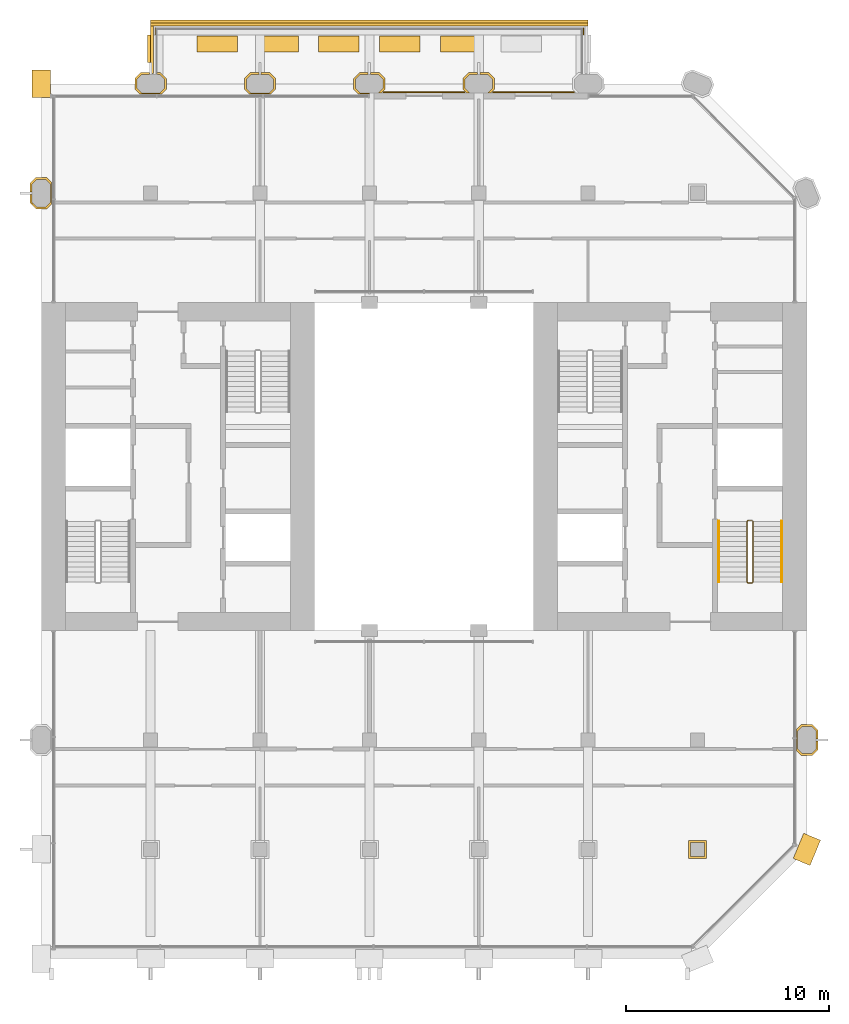
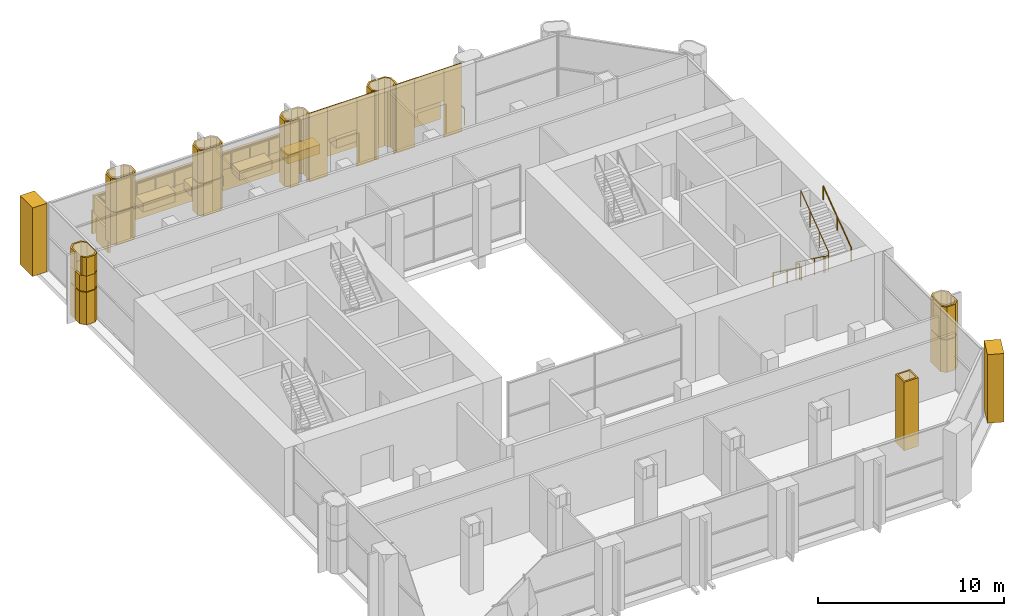
# One storey, part 12 of 13: 33 coverings, 4 railings.
"""IFC4 building model written with IfcOpenShell, lengths in metres."""

from ifc_helpers import new_model, si_unit, direction, frame, frame_2d, origin, origin_2d, place, context, subcontext, project, spatial, polyline, rectangle, circle, outline, extrude, material, layer, layer_set, type_object, element, save


model = new_model("IFC4")

# Units and contexts
model_context = context("Model", 3, precision=1e-05, world=origin(), true_north=direction((0.0, 1.0)))
body_context = subcontext(model_context, "Body", "Model", "MODEL_VIEW")
ifc_project = project(units=[si_unit("LENGTHUNIT", "METRE"), si_unit("AREAUNIT", "SQUARE_METRE"), si_unit("VOLUMEUNIT", "CUBIC_METRE"), si_unit("PLANEANGLEUNIT", "RADIAN"), si_unit("MASSUNIT", "GRAM", prefix="KILO")], contexts=[model_context])

# Site, building, storey
site_placement = place(None, origin())
site = spatial("IfcSite", under=ifc_project, at=site_placement, CompositionType="ELEMENT")
building_placement = place(site_placement, origin())
building = spatial("IfcBuilding", under=site, at=building_placement, Name="Tabaq Tower and Sports Hall", CompositionType="ELEMENT")
storey_placement = place(building_placement, frame((0.0, 0.0, 255.699951171875)))
storey = spatial("IfcBuildingStorey", under=building, at=storey_placement, Name="L62", CompositionType="ELEMENT", Elevation=255.699951171875)

# Coverings
ifc_material_1 = material(Name="Precast concrete C60/75", Category="concrete")
ifc_layer_1 = layer(ifc_material_1, 0.10009765625)
ifc_layer_set_1 = layer_set([ifc_layer_1], Name="Column cladding 100")
covering_type_1 = type_object("IfcCoveringType", Name="Column cladding 100", PredefinedType="CLADDING", material=ifc_layer_set_1)
covering_1_placement = place(storey_placement, frame((0.0, 0.0, 0.10009765625)))
element("IfcCovering", 1, at=covering_1_placement, inside=storey, type_object=covering_type_1, Name="Column cladding L62 PC-2H-S2", PredefinedType="CLADDING", context=body_context, shape_type="SweptSolid", body=[
    extrude(outline(polyline([(5.1337890625, 37.025390625), (4.850341796875, 37.30859375), (4.850341796875, 37.73974609375), (4.94970703125, 37.73974609375), (4.94970703125, 37.349853515625), (5.1748046875, 37.124755859375), (5.625244140625, 37.124755859375), (5.850341796875, 37.349853515625), (5.850341796875, 38.250244140625), (5.625244140625, 38.475341796875), (5.1748046875, 38.475341796875), (4.94970703125, 38.250244140625), (4.94970703125, 37.8603515625), (4.850341796875, 37.8603515625), (4.850341796875, 38.291259765625), (5.1337890625, 38.57470703125), (5.666259765625, 38.57470703125), (5.90966796875, 38.331298828125), (5.90966796875, 37.268798828125), (5.666259765625, 37.025390625), (5.1337890625, 37.025390625)])), origin(), (0.0, 0.0, 1.0), 2.119873046875),
])
covering_2_placement = place(storey_placement, frame((0.0, 0.0, 2.280029296875)))
element("IfcCovering", 2, at=covering_2_placement, inside=storey, type_object=covering_type_1, Name="Column cladding L62 PC-2H-S2 2", PredefinedType="CLADDING", context=body_context, shape_type="SweptSolid", body=[
    extrude(outline(polyline([(5.1337890625, 37.025390625), (4.850341796875, 37.30859375), (4.850341796875, 37.73974609375), (4.94970703125, 37.73974609375), (4.94970703125, 37.349853515625), (5.1748046875, 37.124755859375), (5.625244140625, 37.124755859375), (5.850341796875, 37.349853515625), (5.850341796875, 38.250244140625), (5.625244140625, 38.475341796875), (5.1748046875, 38.475341796875), (4.94970703125, 38.250244140625), (4.94970703125, 37.8603515625), (4.850341796875, 37.8603515625), (4.850341796875, 38.291259765625), (5.1337890625, 38.57470703125), (5.666259765625, 38.57470703125), (5.90966796875, 38.331298828125), (5.90966796875, 37.268798828125), (5.666259765625, 37.025390625), (5.1337890625, 37.025390625)])), origin(), (0.0, 0.0, 1.0), 1.02001953125),
])
covering_3_placement = place(storey_placement, frame((0.0, 0.0, 3.300048828125)))
element("IfcCovering", 3, at=covering_3_placement, inside=storey, type_object=covering_type_1, Name="Column cladding L62 PC-2H-S2 head", PredefinedType="CLADDING", context=body_context, shape_type="SweptSolid", body=[
    extrude(outline(polyline([(4.9501953125, 37.208740234375), (4.9501953125, 37.349365234375), (5.1748046875, 37.124755859375), (5.625244140625, 37.124755859375), (5.850341796875, 37.349853515625), (5.850341796875, 38.250244140625), (5.625244140625, 38.475341796875), (5.1748046875, 38.475341796875), (4.94970703125, 38.250244140625), (4.94970703125, 37.8603515625), (4.850341796875, 37.8603515625), (4.850341796875, 38.291259765625), (5.1337890625, 38.57470703125), (5.666259765625, 38.57470703125), (5.90966796875, 38.331298828125), (5.90966796875, 37.268798828125), (5.666259765625, 37.025390625), (5.1337890625, 37.025390625), (4.9501953125, 37.208740234375)])), origin(), (0.0, 0.0, 1.0), 1.199951171875),
])
covering_4_placement = place(storey_placement, frame((0.0, 0.0, 0.10009765625)))
element("IfcCovering", 4, at=covering_4_placement, inside=storey, type_object=covering_type_1, Name="Column cladding L62 PC-3I-S2", PredefinedType="CLADDING", context=body_context, shape_type="SweptSolid", body=[
    extrude(outline(polyline([(10.025390625, 43.46630859375), (10.30859375, 43.749755859375), (10.73974609375, 43.749755859375), (10.73974609375, 43.650390625), (10.349853515625, 43.650390625), (10.124755859375, 43.425048828125), (10.124755859375, 42.974853515625), (10.349853515625, 42.749755859375), (11.250244140625, 42.749755859375), (11.475341796875, 42.974853515625), (11.475341796875, 43.425048828125), (11.250244140625, 43.650390625), (11.09033203125, 43.650390625), (11.09033203125, 43.69970703125), (11.1103515625, 43.69970703125), (11.1103515625, 43.749755859375), (11.291259765625, 43.749755859375), (11.57470703125, 43.46630859375), (11.57470703125, 42.93359375), (11.331298828125, 42.690185546875), (10.268798828125, 42.690185546875), (10.025390625, 42.93359375), (10.025390625, 43.46630859375)])), origin(), (0.0, 0.0, 1.0), 2.119873046875),
])
covering_5_placement = place(storey_placement, frame((0.0, 0.0, 2.280029296875)))
element("IfcCovering", 5, at=covering_5_placement, inside=storey, type_object=covering_type_1, Name="Column cladding L62 PC-3I-S2 2", PredefinedType="CLADDING", context=body_context, shape_type="SweptSolid", body=[
    extrude(outline(polyline([(10.025390625, 43.46630859375), (10.30859375, 43.749755859375), (10.73974609375, 43.749755859375), (10.73974609375, 43.650390625), (10.349853515625, 43.650390625), (10.124755859375, 43.425048828125), (10.124755859375, 42.974853515625), (10.349853515625, 42.749755859375), (11.250244140625, 42.749755859375), (11.475341796875, 42.974853515625), (11.475341796875, 43.425048828125), (11.250244140625, 43.650390625), (11.09033203125, 43.650390625), (11.09033203125, 43.69970703125), (11.1103515625, 43.69970703125), (11.1103515625, 43.749755859375), (11.291259765625, 43.749755859375), (11.57470703125, 43.46630859375), (11.57470703125, 42.93359375), (11.331298828125, 42.690185546875), (10.268798828125, 42.690185546875), (10.025390625, 42.93359375), (10.025390625, 43.46630859375)])), origin(), (0.0, 0.0, 1.0), 2.1201171875),
])
covering_6_placement = place(storey_placement, frame((0.0, 0.0, 0.10009765625)))
element("IfcCovering", 6, at=covering_6_placement, inside=storey, type_object=covering_type_1, Name="Column cladding L62 PC-4I-S2", PredefinedType="CLADDING", context=body_context, shape_type="SweptSolid", body=[
    extrude(outline(polyline([(15.42529296875, 43.46630859375), (15.708740234375, 43.749755859375), (16.1396484375, 43.749755859375), (16.1396484375, 43.650390625), (15.749755859375, 43.650390625), (15.524658203125, 43.425048828125), (15.524658203125, 42.974853515625), (15.749755859375, 42.749755859375), (16.650146484375, 42.749755859375), (16.875244140625, 42.974853515625), (16.875244140625, 43.425048828125), (16.650146484375, 43.650390625), (16.26025390625, 43.650390625), (16.26025390625, 43.749755859375), (16.69140625, 43.749755859375), (16.974609375, 43.46630859375), (16.974609375, 42.93359375), (16.731201171875, 42.690185546875), (15.668701171875, 42.690185546875), (15.42529296875, 42.93359375), (15.42529296875, 43.46630859375)])), origin(), (0.0, 0.0, 1.0), 2.119873046875),
])
covering_7_placement = place(storey_placement, frame((0.0, 0.0, 2.280029296875)))
element("IfcCovering", 7, at=covering_7_placement, inside=storey, type_object=covering_type_1, Name="Column cladding L62 PC-4I-S2 2", PredefinedType="CLADDING", context=body_context, shape_type="SweptSolid", body=[
    extrude(outline(polyline([(15.42529296875, 43.46630859375), (15.708740234375, 43.749755859375), (16.1396484375, 43.749755859375), (16.1396484375, 43.650390625), (15.749755859375, 43.650390625), (15.524658203125, 43.425048828125), (15.524658203125, 42.974853515625), (15.749755859375, 42.749755859375), (16.650146484375, 42.749755859375), (16.875244140625, 42.974853515625), (16.875244140625, 43.425048828125), (16.650146484375, 43.650390625), (16.26025390625, 43.650390625), (16.26025390625, 43.749755859375), (16.69140625, 43.749755859375), (16.974609375, 43.46630859375), (16.974609375, 42.93359375), (16.731201171875, 42.690185546875), (15.668701171875, 42.690185546875), (15.42529296875, 42.93359375), (15.42529296875, 43.46630859375)])), origin(), (0.0, 0.0, 1.0), 2.1201171875),
])
covering_8_placement = place(storey_placement, frame((0.0, 0.0, 0.10009765625)))
element("IfcCovering", 8, at=covering_8_placement, inside=storey, type_object=covering_type_1, Name="Column cladding L62 PC-5I-S2", PredefinedType="CLADDING", context=body_context, shape_type="SweptSolid", body=[
    extrude(outline(polyline([(20.8251953125, 43.46630859375), (21.108642578125, 43.749755859375), (21.539794921875, 43.749755859375), (21.539794921875, 43.650390625), (21.14990234375, 43.650390625), (20.9248046875, 43.425048828125), (20.9248046875, 42.974853515625), (21.14990234375, 42.749755859375), (21.599609375, 42.749755859375), (21.599609375, 42.690185546875), (21.068603515625, 42.690185546875), (20.8251953125, 42.93359375), (20.8251953125, 43.46630859375)])), origin(), (0.0, 0.0, 1.0), 2.119873046875),
])
covering_9_placement = place(storey_placement, frame((0.0, 0.0, 0.10009765625)))
element("IfcCovering", 9, at=covering_9_placement, inside=storey, type_object=covering_type_1, Name="Column cladding L62 PC-5I-S2 2", PredefinedType="CLADDING", context=body_context, shape_type="SweptSolid", body=[
    extrude(outline(polyline([(22.09130859375, 43.749755859375), (22.374755859375, 43.46630859375), (22.374755859375, 42.93359375), (22.19140625, 42.750244140625), (22.05078125, 42.750244140625), (22.275390625, 42.974853515625), (22.275390625, 43.425048828125), (22.050048828125, 43.650390625), (21.660400390625, 43.650390625), (21.660400390625, 43.749755859375), (22.09130859375, 43.749755859375)])), origin(), (0.0, 0.0, 1.0), 2.119873046875),
])
covering_10_placement = place(storey_placement, frame((0.0, 0.0, 2.280029296875)))
element("IfcCovering", 10, at=covering_10_placement, inside=storey, type_object=covering_type_1, Name="Column cladding L62 PC-5I-S2 2", PredefinedType="CLADDING", context=body_context, shape_type="SweptSolid", body=[
    extrude(outline(polyline([(20.8251953125, 43.46630859375), (21.108642578125, 43.749755859375), (21.539794921875, 43.749755859375), (21.539794921875, 43.650390625), (21.14990234375, 43.650390625), (20.9248046875, 43.425048828125), (20.9248046875, 42.974853515625), (21.14990234375, 42.749755859375), (21.599609375, 42.749755859375), (21.599609375, 42.690185546875), (21.068603515625, 42.690185546875), (20.8251953125, 42.93359375), (20.8251953125, 43.46630859375)])), origin(), (0.0, 0.0, 1.0), 2.1201171875),
])
covering_11_placement = place(storey_placement, frame((0.0, 0.0, 2.280029296875)))
element("IfcCovering", 11, at=covering_11_placement, inside=storey, type_object=covering_type_1, Name="Column cladding L62 PC-5I-S2 2 2", PredefinedType="CLADDING", context=body_context, shape_type="SweptSolid", body=[
    extrude(outline(polyline([(22.09130859375, 43.749755859375), (22.374755859375, 43.46630859375), (22.374755859375, 42.93359375), (22.19140625, 42.750244140625), (22.05078125, 42.750244140625), (22.275390625, 42.974853515625), (22.275390625, 43.425048828125), (22.050048828125, 43.650390625), (21.660400390625, 43.650390625), (21.660400390625, 43.749755859375), (22.09130859375, 43.749755859375)])), origin(), (0.0, 0.0, 1.0), 2.1201171875),
])
covering_12_placement = place(storey_placement, origin())
element("IfcCovering", 12, at=covering_12_placement, inside=storey, type_object=covering_type_1, Name="Column cladding L62 PC-6I-S2", PredefinedType="CLADDING", context=body_context, shape_type="SweptSolid", body=[
    extrude(outline(polyline([(27.4912109375, 43.749755859375), (27.774658203125, 43.46630859375), (27.774658203125, 42.93359375), (27.59130859375, 42.750244140625), (27.45068359375, 42.750244140625), (27.67529296875, 42.974853515625), (27.67529296875, 43.425048828125), (27.4501953125, 43.650390625), (27.060302734375, 43.650390625), (27.060302734375, 43.749755859375), (27.4912109375, 43.749755859375)])), origin(), (0.0, 0.0, 1.0), 4.5),
])
covering_13_placement = place(storey_placement, origin())
element("IfcCovering", 13, at=covering_13_placement, inside=storey, type_object=covering_type_1, Name="Column cladding L62 PC-6I-S2 2", PredefinedType="CLADDING", context=body_context, shape_type="SweptSolid", body=[
    extrude(outline(polyline([(26.225341796875, 43.46630859375), (26.5087890625, 43.749755859375), (26.939697265625, 43.749755859375), (26.939697265625, 43.650390625), (26.5498046875, 43.650390625), (26.32470703125, 43.425048828125), (26.32470703125, 42.974853515625), (26.54931640625, 42.750244140625), (26.40869140625, 42.750244140625), (26.225341796875, 42.93359375), (26.225341796875, 43.46630859375)])), origin(), (0.0, 0.0, 1.0), 4.5),
])
covering_14_placement = place(storey_placement, origin())
element("IfcCovering", 14, at=covering_14_placement, inside=storey, type_object=covering_type_1, Name="Column cladding L62 CC-8B-S2", PredefinedType="CLADDING", context=body_context, shape_type="SweptSolid", body=[
    extrude(outline(polyline([(37.350341796875, 5.849609375), (38.249755859375, 5.849609375), (38.249755859375, 4.9501953125), (37.350341796875, 4.9501953125), (37.350341796875, 5.849609375)]), holes=[polyline([(38.150390625, 5.0498046875), (38.150390625, 5.750244140625), (37.44970703125, 5.750244140625), (37.44970703125, 5.0498046875), (38.150390625, 5.0498046875)])]), origin(), (0.0, 0.0, 1.0), 4.5),
])
covering_15_placement = place(storey_placement, frame((0.0, 0.0, 0.10009765625)))
element("IfcCovering", 15, at=covering_15_placement, inside=storey, type_object=covering_type_1, Name="Column cladding L62 PC-9C-S2", PredefinedType="CLADDING", context=body_context, shape_type="SweptSolid", body=[
    extrude(outline(polyline([(42.93359375, 10.025390625), (42.690185546875, 10.268798828125), (42.690185546875, 11.331298828125), (42.93359375, 11.57470703125), (43.46630859375, 11.57470703125), (43.749755859375, 11.291259765625), (43.749755859375, 10.8603515625), (43.650390625, 10.8603515625), (43.650390625, 11.250244140625), (43.425048828125, 11.475341796875), (42.974853515625, 11.475341796875), (42.749755859375, 11.250244140625), (42.749755859375, 10.349853515625), (42.974853515625, 10.124755859375), (43.425048828125, 10.124755859375), (43.650390625, 10.349853515625), (43.650390625, 10.73974609375), (43.749755859375, 10.73974609375), (43.749755859375, 10.30859375), (43.46630859375, 10.025390625), (42.93359375, 10.025390625)])), origin(), (0.0, 0.0, 1.0), 2.119873046875),
])
covering_16_placement = place(storey_placement, frame((0.0, 0.0, 2.280029296875)))
element("IfcCovering", 16, at=covering_16_placement, inside=storey, type_object=covering_type_1, Name="Column cladding L62 PC-9C-S2 2", PredefinedType="CLADDING", context=body_context, shape_type="SweptSolid", body=[
    extrude(outline(polyline([(42.93359375, 10.025390625), (42.690185546875, 10.268798828125), (42.690185546875, 11.331298828125), (42.93359375, 11.57470703125), (43.46630859375, 11.57470703125), (43.749755859375, 11.291259765625), (43.749755859375, 10.8603515625), (43.650390625, 10.8603515625), (43.650390625, 11.250244140625), (43.425048828125, 11.475341796875), (42.974853515625, 11.475341796875), (42.749755859375, 11.250244140625), (42.749755859375, 10.349853515625), (42.974853515625, 10.124755859375), (43.425048828125, 10.124755859375), (43.650390625, 10.349853515625), (43.650390625, 10.73974609375), (43.749755859375, 10.73974609375), (43.749755859375, 10.30859375), (43.46630859375, 10.025390625), (42.93359375, 10.025390625)])), origin(), (0.0, 0.0, 1.0), 2.1201171875),
])

# Railing
ifc_material_2 = material(Name="Stainless steel S316 and laminated glass", Category="steel")
railing_type_1 = type_object("IfcRailingType", Name="Guard 1100 steel and glass", PredefinedType="GUARDRAIL", material=ifc_material_2)
railing_1_placement = place(storey_placement, frame((32.14990234375, 43.199951171875, 0.0)))
element("IfcRailing", 17, at=railing_1_placement, inside=storey, type_object=railing_type_1, Name="Tray guard L62", PredefinedType="GUARDRAIL", context=body_context, shape_type="SweptSolid", body=[
    extrude(circle(Radius=0.02490234375, at=origin_2d()), frame((0.0, 0.0, 1.0751953125), z_axis=(0.0, 1.0, 0.0), x_axis=(-1.0, 0.0, 0.0)), (0.0, 0.0, 1.0), 2.75),
    extrude(circle(Radius=0.02490234375, at=origin_2d()), frame((0.0, 2.75, 1.0751953125), z_axis=(-1.0, 0.0, 0.0), x_axis=(0.0, -1.0, 0.0)), (0.0, 0.0, 1.0), 21.099853515625),
    extrude(circle(Radius=0.02490234375, at=origin_2d()), frame((-21.099853515625, 2.75, 1.0751953125), z_axis=(0.0, -1.0, 0.0), x_axis=(1.0, 0.0, 0.0)), (0.0, 0.0, 1.0), 2.75),
    extrude(circle(Radius=0.02001953125, at=origin_2d()), origin(), (0.0, 0.0, 1.0), 1.050048828125),
    extrude(circle(Radius=0.02001953125, at=origin_2d()), frame((0.0, 0.916748046875, 0.0)), (0.0, 0.0, 1.0), 1.050048828125),
    extrude(circle(Radius=0.02001953125, at=origin_2d()), frame((0.0, 1.833251953125, 0.0)), (0.0, 0.0, 1.0), 1.050048828125),
    extrude(circle(Radius=0.02001953125, at=origin_2d()), frame((0.0, 2.75, 0.0)), (0.0, 0.0, 1.0), 1.050048828125),
    extrude(circle(Radius=0.02001953125, at=origin_2d()), frame((-1.172119140625, 2.75, 0.0)), (0.0, 0.0, 1.0), 1.050048828125),
    extrude(circle(Radius=0.02001953125, at=origin_2d()), frame((-2.344482421875, 2.75, 0.0)), (0.0, 0.0, 1.0), 1.050048828125),
    extrude(circle(Radius=0.02001953125, at=origin_2d()), frame((-3.5166015625, 2.75, 0.0)), (0.0, 0.0, 1.0), 1.050048828125),
    extrude(circle(Radius=0.02001953125, at=origin_2d()), frame((-4.68896484375, 2.75, 0.0)), (0.0, 0.0, 1.0), 1.050048828125),
    extrude(circle(Radius=0.02001953125, at=origin_2d()), frame((-5.861083984375, 2.75, 0.0)), (0.0, 0.0, 1.0), 1.050048828125),
    extrude(circle(Radius=0.02001953125, at=origin_2d()), frame((-7.033203125, 2.75, 0.0)), (0.0, 0.0, 1.0), 1.050048828125),
    extrude(circle(Radius=0.02001953125, at=origin_2d()), frame((-8.20556640625, 2.75, 0.0)), (0.0, 0.0, 1.0), 1.050048828125),
    extrude(circle(Radius=0.02001953125, at=origin_2d()), frame((-9.377685546875, 2.75, 0.0)), (0.0, 0.0, 1.0), 1.050048828125),
    extrude(circle(Radius=0.02001953125, at=origin_2d()), frame((-10.5498046875, 2.75, 0.0)), (0.0, 0.0, 1.0), 1.050048828125),
    extrude(circle(Radius=0.02001953125, at=origin_2d()), frame((-11.72216796875, 2.75, 0.0)), (0.0, 0.0, 1.0), 1.050048828125),
    extrude(circle(Radius=0.02001953125, at=origin_2d()), frame((-12.894287109375, 2.75, 0.0)), (0.0, 0.0, 1.0), 1.050048828125),
    extrude(circle(Radius=0.02001953125, at=origin_2d()), frame((-14.066650390625, 2.75, 0.0)), (0.0, 0.0, 1.0), 1.050048828125),
    extrude(circle(Radius=0.02001953125, at=origin_2d()), frame((-15.23876953125, 2.75, 0.0)), (0.0, 0.0, 1.0), 1.050048828125),
    extrude(circle(Radius=0.02001953125, at=origin_2d()), frame((-16.410888671875, 2.75, 0.0)), (0.0, 0.0, 1.0), 1.050048828125),
    extrude(circle(Radius=0.02001953125, at=origin_2d()), frame((-17.583251953125, 2.75, 0.0)), (0.0, 0.0, 1.0), 1.050048828125),
    extrude(circle(Radius=0.02001953125, at=origin_2d()), frame((-18.75537109375, 2.75, 0.0)), (0.0, 0.0, 1.0), 1.050048828125),
    extrude(circle(Radius=0.02001953125, at=origin_2d()), frame((-19.927734375, 2.75, 0.0)), (0.0, 0.0, 1.0), 1.050048828125),
    extrude(circle(Radius=0.02001953125, at=origin_2d()), frame((-21.099853515625, 2.75, 0.0)), (0.0, 0.0, 1.0), 1.050048828125),
    extrude(circle(Radius=0.02001953125, at=origin_2d()), frame((-21.099853515625, 1.833251953125, 0.0)), (0.0, 0.0, 1.0), 1.050048828125),
    extrude(circle(Radius=0.02001953125, at=origin_2d()), frame((-21.099853515625, 0.916748046875, 0.0)), (0.0, 0.0, 1.0), 1.050048828125),
    extrude(circle(Radius=0.02001953125, at=origin_2d()), frame((-21.099853515625, 0.0, 0.0)), (0.0, 0.0, 1.0), 1.050048828125),
])

# Coverings
ifc_material_3 = material(Name="White precast concrete C60/75", Category="concrete")
covering_type_2 = type_object("IfcCoveringType", Name="Pier cladding hung 1350x900", PredefinedType="CLADDING", material=ifc_material_3)
for number, where, z_axis, x_axis, name in (
    (18, (5.39990234375, 43.875, 0.0), (0.0, 0.0, 1.0), (0.0, -1.0, 0.0), "Hung pier cladding 1/8"),
    (19, (42.941650390625, 4.7763671875, 0.0), (0.0, 0.0, 1.0), (0.382649923473, 0.923893411637, 0.0), "Hung pier cladding 8/1"),
):
    element("IfcCovering", number, at=place(storey_placement, frame(where, z_axis=z_axis, x_axis=x_axis)), inside=storey, type_object=covering_type_2, Name=name, PredefinedType="CLADDING", context=body_context, shape_type="SweptSolid", body=[
        extrude(rectangle(XDim=1.35009765625, YDim=0.89990234375, at=frame_2d((0.675048828125, 0.0))), origin(), (0.0, 0.0, 1.0), 4.5),
    ])
ifc_material_4 = material(Name="Planting soil and drainage layer")
covering_type_3 = type_object("IfcCoveringType", Name="Planter 2000x800x600", PredefinedType="USERDEFINED", material=ifc_material_4)
for number, where, z_axis, x_axis, name in (
    (20, (26.10009765625, 45.169921875, 0.0), (0.0, 0.0, 1.0), (-1.0, 0.0, 0.0), "Planter L62"),
    (21, (23.10009765625, 45.169921875, 0.0), (0.0, 0.0, 1.0), (-1.0, 0.0, 0.0), "Planter L62"),
    (22, (20.10009765625, 45.169921875, 0.0), (0.0, 0.0, 1.0), (-1.0, 0.0, 0.0), "Planter L62"),
    (23, (17.10009765625, 45.169921875, 0.0), (0.0, 0.0, 1.0), (-1.0, 0.0, 0.0), "Planter L62"),
    (24, (14.10009765625, 45.169921875, 0.0), (0.0, 0.0, 1.0), (-1.0, 0.0, 0.0), "Planter L62"),
):
    element("IfcCovering", number, at=place(storey_placement, frame(where, z_axis=z_axis, x_axis=x_axis)), inside=storey, type_object=covering_type_3, Name=name, ObjectType="PLANTER", PredefinedType="USERDEFINED", context=body_context, shape_type="SweptSolid", body=[
        extrude(rectangle(XDim=2.0, YDim=0.800048828125, at=origin_2d()), origin(), (0.0, 0.0, 1.0), 0.60009765625),
    ])

# Railings
ifc_material_5 = material(Name="Stainless steel", Category="steel")
railing_type_2 = type_object("IfcRailingType", Name="Stair guard", PredefinedType="GUARDRAIL", material=ifc_material_5)
railing_2_placement = place(storey_placement, frame((40.5, 21.64990234375, 0.0)))
element("IfcRailing", 25, at=railing_2_placement, inside=storey, type_object=railing_type_2, Name="L62 ST3 stair guard 1", PredefinedType="GUARDRAIL", context=body_context, shape_type="SweptSolid", body=[
    extrude(circle(Radius=0.02392578125, at=origin_2d()), frame((0.0, 0.0, 1.076171875), z_axis=(-1.0, 0.0, 0.0), x_axis=(0.0, -1.0, 0.0)), (0.0, 0.0, 1.0), 0.199951171875),
    extrude(circle(Radius=0.02392578125, at=origin_2d()), frame((-0.199951171875, 0.0, 1.076171875), z_axis=(-0.253264628505, -0.252029191293, 0.933990532438), x_axis=(0.705375805398, -0.708833529934, 0.0)), (0.0, 0.0, 1.0), 0.197509765625),
    extrude(circle(Radius=0.02392578125, at=origin_2d()), frame((-0.25, -0.0498046875, 1.2607421875), z_axis=(0.0, -0.804408721428, 0.594076265214), x_axis=(1.0, 0.0, 0.0)), (0.0, 0.0, 1.0), 3.7294921875),
    extrude(circle(Radius=0.02392578125, at=origin_2d()), frame((-0.25, -3.0498046875, 3.47607421875), z_axis=(0.707106781187, -0.707106781187, 0.0), x_axis=(0.707106781187, 0.707106781187, 0.0)), (0.0, 0.0, 1.0), 0.07080078125),
    extrude(circle(Radius=0.02392578125, at=origin_2d()), frame((-0.199951171875, -3.099853515625, 3.47607421875), z_axis=(1.0, 0.0, 0.0), x_axis=(0.0, 1.0, 0.0)), (0.0, 0.0, 1.0), 0.199951171875),
    extrude(circle(Radius=0.02392578125, at=origin_2d()), frame((0.0, -3.099853515625, 3.47607421875), z_axis=(0.253185614162, 0.253185614162, 0.933699142959), x_axis=(-0.707106781187, 0.707106781187, 0.0)), (0.0, 0.0, 1.0), 0.19775390625),
    extrude(circle(Radius=0.02392578125, at=origin_2d()), frame((0.050048828125, -3.0498046875, 3.66064453125), z_axis=(0.0, 0.804440004972, 0.594033903411), x_axis=(-1.0, 0.0, 0.0)), (0.0, 0.0, 1.0), 3.729248046875),
    extrude(circle(Radius=0.02099609375, at=origin_2d()), origin(), (0.0, 0.0, 1.0), 1.052001953125),
    extrude(circle(Radius=0.02099609375, at=origin_2d()), frame((-0.199951171875, 0.0, 0.0)), (0.0, 0.0, 1.0), 1.052001953125),
    extrude(circle(Radius=0.02099609375, at=origin_2d()), frame((-0.25, -0.0498046875, 0.1845703125)), (0.0, 0.0, 1.0), 1.052001953125),
    extrude(circle(Radius=0.02099609375, at=origin_2d()), frame((-0.25, -1.0498046875, 0.923095703125)), (0.0, 0.0, 1.0), 1.052001953125),
    extrude(circle(Radius=0.02099609375, at=origin_2d()), frame((-0.25, -2.0498046875, 1.66162109375)), (0.0, 0.0, 1.0), 1.052001953125),
    extrude(circle(Radius=0.02099609375, at=origin_2d()), frame((-0.25, -3.0498046875, 2.400146484375)), (0.0, 0.0, 1.0), 1.052001953125),
    extrude(circle(Radius=0.02099609375, at=origin_2d()), frame((-0.199951171875, -3.099853515625, 2.400146484375)), (0.0, 0.0, 1.0), 1.052001953125),
    extrude(circle(Radius=0.02099609375, at=origin_2d()), frame((0.0, -3.099853515625, 2.400146484375)), (0.0, 0.0, 1.0), 1.052001953125),
    extrude(circle(Radius=0.02099609375, at=origin_2d()), frame((0.050048828125, -3.0498046875, 2.584716796875)), (0.0, 0.0, 1.0), 1.052001953125),
    extrude(circle(Radius=0.02099609375, at=origin_2d()), frame((0.050048828125, -2.0498046875, 3.3232421875)), (0.0, 0.0, 1.0), 1.052001953125),
    extrude(circle(Radius=0.02099609375, at=origin_2d()), frame((0.050048828125, -1.0498046875, 4.0615234375)), (0.0, 0.0, 1.0), 1.052001953125),
    extrude(circle(Radius=0.02099609375, at=origin_2d()), frame((0.050048828125, -0.0498046875, 4.800048828125)), (0.0, 0.0, 1.0), 1.052001953125),
])
ifc_material_6 = material(Name="Stainless steel", Category="steel")
railing_type_3 = type_object("IfcRailingType", Name="Stair handrail", PredefinedType="HANDRAIL", material=ifc_material_6)
railing_3_placement = place(storey_placement, frame((38.85009765625, 21.60009765625, 0.1845703125)))
element("IfcRailing", 26, at=railing_3_placement, inside=storey, type_object=railing_type_3, Name="L62 ST3 stair handrail 1", PredefinedType="HANDRAIL", context=body_context, shape_type="SweptSolid", body=[
    extrude(circle(Radius=0.02392578125, at=origin_2d()), frame((0.0, 0.0, 0.8759765625), z_axis=(0.0, -0.804408721428, 0.594076265214), x_axis=(1.0, 0.0, 0.0)), (0.0, 0.0, 1.0), 3.7294921875),
    extrude(circle(Radius=0.02099609375, at=origin_2d()), origin(), (0.0, 0.0, 1.0), 0.851806640625),
    extrude(circle(Radius=0.02099609375, at=origin_2d()), frame((0.0, -1.5, 1.10791015625)), (0.0, 0.0, 1.0), 0.851806640625),
    extrude(circle(Radius=0.02099609375, at=origin_2d()), frame((0.0, -3.0, 2.215576171875)), (0.0, 0.0, 1.0), 0.851806640625),
])
railing_4_placement = place(storey_placement, frame((41.949951171875, 18.60009765625, 2.584716796875)))
element("IfcRailing", 27, at=railing_4_placement, inside=storey, type_object=railing_type_3, Name="L62 ST3 stair handrail 2", PredefinedType="HANDRAIL", context=body_context, shape_type="SweptSolid", body=[
    extrude(circle(Radius=0.02392578125, at=origin_2d()), frame((0.0, 0.0, 0.8759765625), z_axis=(0.0, 0.804440004972, 0.594033903411), x_axis=(-1.0, 0.0, 0.0)), (0.0, 0.0, 1.0), 3.729248046875),
    extrude(circle(Radius=0.02099609375, at=origin_2d()), origin(), (0.0, 0.0, 1.0), 0.851806640625),
    extrude(circle(Radius=0.02099609375, at=origin_2d()), frame((0.0, 1.5, 1.107666015625)), (0.0, 0.0, 1.0), 0.851806640625),
    extrude(circle(Radius=0.02099609375, at=origin_2d()), frame((0.0, 3.0, 2.21533203125)), (0.0, 0.0, 1.0), 0.851806640625),
])

# Coverings
ifc_material_7 = material(Name="Precast concrete C60/75", Category="concrete")
ifc_layer_2 = layer(ifc_material_7, 0.14990234375)
ifc_layer_set_2 = layer_set([ifc_layer_2], Name="Tray fascia 1200")
covering_type_4 = type_object("IfcCoveringType", Name="Tray fascia 1200", PredefinedType="CLADDING", material=ifc_layer_set_2)
covering_17_placement = place(storey_placement, frame((10.72509765625, 44.260009765625, -1.5), z_axis=(0.0, 0.0, 1.0), x_axis=(0.0, 1.0, 0.0)))
element("IfcCovering", 28, at=covering_17_placement, inside=storey, type_object=covering_type_4, Name="Tray fascia L62 EBT", PredefinedType="CLADDING", context=body_context, shape_type="SweptSolid", body=[
    extrude(rectangle(XDim=1.340087890625, YDim=0.14990234375, at=frame_2d((0.669921875, 0.0))), origin(), (0.0, 0.0, 1.0), 1.5),
])
covering_18_placement = place(storey_placement, frame((32.39990234375, 46.27490234375, -1.5), z_axis=(0.0, 0.0, 1.0), x_axis=(-1.0, 0.0, 0.0)))
element("IfcCovering", 29, at=covering_18_placement, inside=storey, type_object=covering_type_4, Name="Tray fascia L62 EBT", PredefinedType="CLADDING", context=body_context, shape_type="SweptSolid", body=[
    extrude(rectangle(XDim=21.599853515625, YDim=0.14990234375, at=frame_2d((10.7998046875, 0.0))), origin(), (0.0, 0.0, 1.0), 1.5),
])
ifc_material_8 = material(Name="Precast concrete C60/75", Category="concrete")
ifc_layer_3 = layer(ifc_material_8, 0.14990234375)
ifc_layer_set_3 = layer_set([ifc_layer_3], Name="Tray upstand cladding 1100")
covering_type_5 = type_object("IfcCoveringType", Name="Tray upstand cladding 1100", PredefinedType="CLADDING", material=ifc_layer_set_3)
covering_19_placement = place(storey_placement, frame((32.39990234375, 46.125, 0.0), z_axis=(0.0, 0.0, 1.0), x_axis=(-1.0, 0.0, 0.0)))
element("IfcCovering", 30, at=covering_19_placement, inside=storey, type_object=covering_type_5, Name="Tray upstand cladding L62", PredefinedType="CLADDING", context=body_context, shape_type="SweptSolid", body=[
    extrude(rectangle(XDim=21.599853515625, YDim=0.14990234375, at=frame_2d((10.7998046875, 0.0))), origin(), (0.0, 0.0, 1.0), 1.10009765625),
])
covering_20_placement = place(storey_placement, frame((10.875, 43.699951171875, 0.0), z_axis=(0.0, 0.0, 1.0), x_axis=(0.0, 1.0, 0.0)))
element("IfcCovering", 31, at=covering_20_placement, inside=storey, type_object=covering_type_5, Name="Tray upstand cladding L62", PredefinedType="CLADDING", context=body_context, shape_type="SweptSolid", body=[
    extrude(rectangle(XDim=2.35009765625, YDim=0.14990234375, at=frame_2d((1.175048828125, 0.0))), origin(), (0.0, 0.0, 1.0), 1.10009765625),
])
ifc_material_9 = material(Name="Precast concrete C60/75", Category="concrete")
ifc_layer_4 = layer(ifc_material_9, 0.06005859375)
ifc_layer_set_4 = layer_set([ifc_layer_4], Name="White precast cladding panel 60 C60/75")
covering_type_6 = type_object("IfcCoveringType", Name="White precast cladding panel 60 C60/75", PredefinedType="CLADDING", material=ifc_layer_set_4)
covering_21_placement = place(storey_placement, frame((31.715087890625, 42.780029296875, 0.0), z_axis=(0.0, 0.0, 1.0), x_axis=(-1.0, 0.0, 0.0)))
element("IfcCovering", 32, at=covering_21_placement, inside=storey, type_object=covering_type_6, Name="White precast cladding panel L62 infill04-0-1", PredefinedType="CLADDING", context=body_context, shape_type="SweptSolid", body=[
    extrude(rectangle(XDim=1.10498046875, YDim=0.06005859375, at=frame_2d((0.552490234375, 0.0))), origin(), (0.0, 0.0, 1.0), 4.5),
])
covering_22_placement = place(storey_placement, frame((30.610107421875, 42.780029296875, 2.41015625), z_axis=(0.0, 0.0, 1.0), x_axis=(-1.0, 0.0, 0.0)))
element("IfcCovering", 33, at=covering_22_placement, inside=storey, type_object=covering_type_6, Name="White precast cladding panel L62 infill04-0-1 2", PredefinedType="CLADDING", context=body_context, shape_type="SweptSolid", body=[
    extrude(rectangle(XDim=1.820068359375, YDim=0.06005859375, at=frame_2d((0.91015625, 0.0))), origin(), (0.0, 0.0, 1.0), 2.08984375),
])
for number, where, z_axis, x_axis, name in (
    (34, (28.7900390625, 42.780029296875, 0.0), (0.0, 0.0, 1.0), (-1.0, 0.0, 0.0), "White precast cladding panel L62 infill04-0-1 3"),
    (35, (26.31494140625, 42.780029296875, 0.0), (0.0, 0.0, 1.0), (-1.0, 0.0, 0.0), "White precast cladding panel L62 infill04-0-1 4"),
):
    element("IfcCovering", number, at=place(storey_placement, frame(where, z_axis=z_axis, x_axis=x_axis)), inside=storey, type_object=covering_type_6, Name=name, PredefinedType="CLADDING", context=body_context, shape_type="SweptSolid", body=[
        extrude(rectangle(XDim=1.10498046875, YDim=0.06005859375, at=frame_2d((0.552490234375, 0.0))), origin(), (0.0, 0.0, 1.0), 4.5),
    ])
covering_23_placement = place(storey_placement, frame((25.2099609375, 42.780029296875, 2.41015625), z_axis=(0.0, 0.0, 1.0), x_axis=(-1.0, 0.0, 0.0)))
element("IfcCovering", 36, at=covering_23_placement, inside=storey, type_object=covering_type_6, Name="White precast cladding panel L62 infill04-0-1 5", PredefinedType="CLADDING", context=body_context, shape_type="SweptSolid", body=[
    extrude(rectangle(XDim=1.820068359375, YDim=0.06005859375, at=frame_2d((0.91015625, 0.0))), origin(), (0.0, 0.0, 1.0), 2.08984375),
])
covering_24_placement = place(storey_placement, frame((23.389892578125, 42.780029296875, 0.0), z_axis=(0.0, 0.0, 1.0), x_axis=(-1.0, 0.0, 0.0)))
element("IfcCovering", 37, at=covering_24_placement, inside=storey, type_object=covering_type_6, Name="White precast cladding panel L62 infill04-0-1 6", PredefinedType="CLADDING", context=body_context, shape_type="SweptSolid", body=[
    extrude(rectangle(XDim=1.10498046875, YDim=0.06005859375, at=frame_2d((0.552490234375, 0.0))), origin(), (0.0, 0.0, 1.0), 4.5),
])

save(model, "model.ifc")
